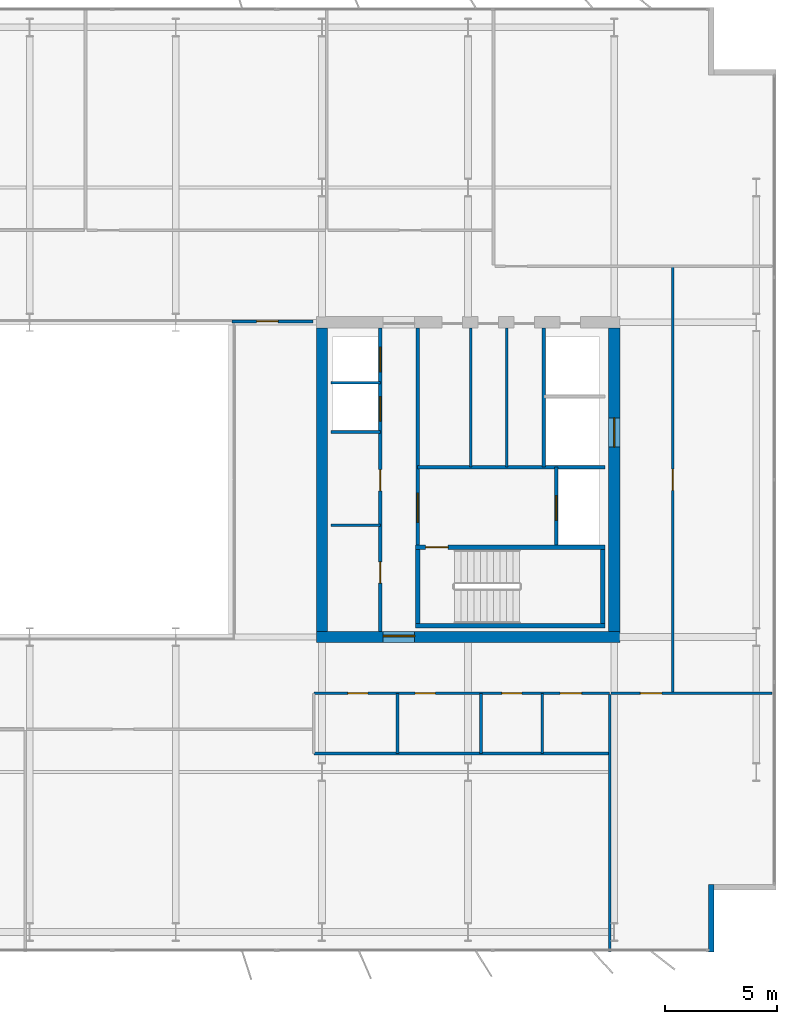
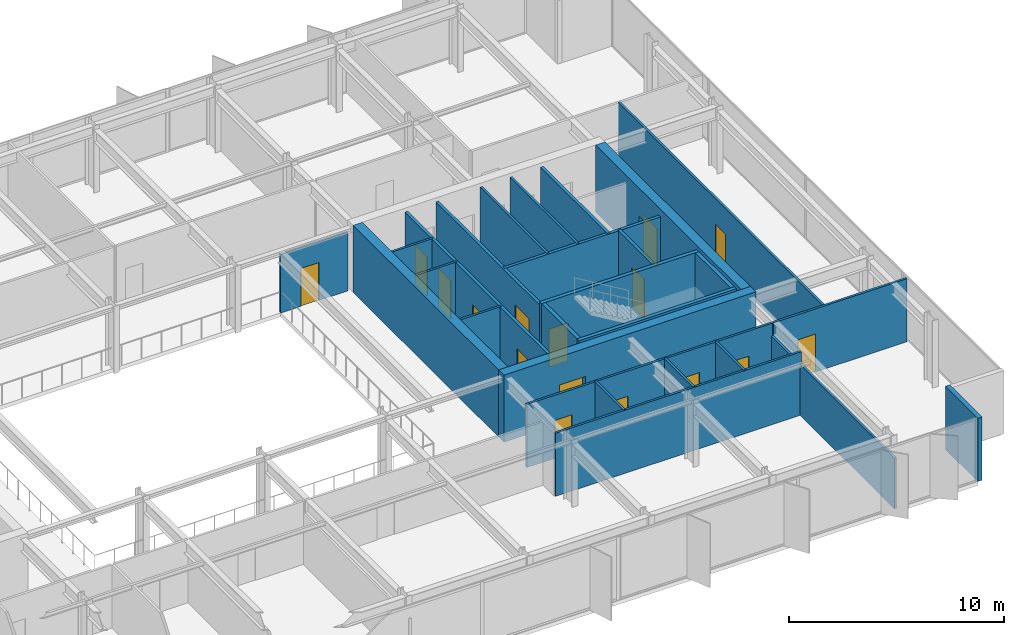
# One storey, part 18 of 23: 27 walls, 16 doors, 16 openings.
"""IFC4 building model written with IfcOpenShell, lengths in metres."""

from ifc_helpers import new_model, si_unit, direction, frame, frame_2d, origin, place, context, subcontext, project, spatial, rectangle, extrude, material, layer, layer_set, type_object, element, fill, save


model = new_model("IFC4")

# Units and contexts
model_context = context("Model", 3, precision=1e-05, world=origin(), true_north=direction((0.0, 1.0)))
body_context = subcontext(model_context, "Body", "Model", "MODEL_VIEW")
ifc_project = project(units=[si_unit("LENGTHUNIT", "METRE"), si_unit("AREAUNIT", "SQUARE_METRE"), si_unit("VOLUMEUNIT", "CUBIC_METRE"), si_unit("PLANEANGLEUNIT", "RADIAN"), si_unit("MASSUNIT", "GRAM", prefix="KILO")], contexts=[model_context])

# Site, building, storey
site_placement = place(None, origin())
site = spatial("IfcSite", under=ifc_project, at=site_placement, CompositionType="ELEMENT")
building_placement = place(site_placement, origin())
building = spatial("IfcBuilding", under=site, at=building_placement, Name="Putna Gate Headquarters", CompositionType="ELEMENT")
storey_placement = place(building_placement, frame((0.0, 0.0, 221.39990234375)))
storey = spatial("IfcBuildingStorey", under=building, at=storey_placement, Name="L55", CompositionType="ELEMENT", Elevation=221.39990234375)

# Wall, opening, door
ifc_material_1 = material(Name="Concrete C50/60", Category="concrete")
ifc_layer_1 = layer(ifc_material_1, 0.5)
ifc_layer_set_1 = layer_set([ifc_layer_1], Name="Concrete C50/60")
wall_type_1 = type_object("IfcWallType", Name="WALL-CORE-500", PredefinedType="SHEAR", material=ifc_layer_set_1)
wall_1_placement = place(storey_placement, frame((51.75, 19.0, 0.0), z_axis=(0.0, 0.0, 1.0), x_axis=(1.0, 0.0, 0.0)))
wall_1 = element("IfcWall", 1, at=wall_1_placement, inside=storey, type_object=wall_type_1, Name="L55 EC Split Core Shear Wall S", PredefinedType="SHEAR", context=body_context, shape_type="SweptSolid", body=[
    extrude(rectangle(XDim=13.5, YDim=0.5, at=frame_2d((6.75, 0.0))), origin(), (0.0, 0.0, 1.0), 3.800048828125),
])
opening_1_placement = place(wall_1_placement, frame((2.969970703125, 0.0, 0.0)))
opening_1 = element("IfcOpeningElement", 2, at=opening_1_placement, cuts=wall_1, Name="Opening FDD-140", PredefinedType="OPENING", context=body_context, shape_type="SweptSolid", body=[
    extrude(rectangle(XDim=1.39990234375, YDim=2.199951171875, at=frame_2d((0.699951171875, 1.10009765625))), frame((0.0, 0.260009765625, 0.0), z_axis=(0.0, -1.0, 0.0), x_axis=(1.0, 0.0, 0.0)), (0.0, 0.0, 1.0), 0.52001953125),
])
ifc_material_2 = material(Name="Double steel fire door", Category="steel")
door_type_1 = type_object("IfcDoorType", Name="DOOR-FIRE-DBL-1400", OperationType="DOUBLE_DOOR_SINGLE_SWING", PredefinedType="DOOR", material=ifc_material_2)
door_1_placement = place(opening_1_placement, origin())
door_1 = element("IfcDoor", 3, at=door_1_placement, inside=storey, type_object=door_type_1, Name="L55 East Lift Lobby South Door", OperationType="DOUBLE_DOOR_SINGLE_SWING", OverallHeight=2.199951171875, OverallWidth=1.39990234375, PredefinedType="DOOR", context=body_context, shape_type="SweptSolid", body=[
    extrude(rectangle(XDim=1.39990234375, YDim=2.199951171875, at=frame_2d((0.699951171875, 1.10009765625))), frame((0.0, 0.0751953125, 0.0), z_axis=(0.0, -1.0, 0.0), x_axis=(1.0, 0.0, 0.0)), (0.0, 0.0, 1.0), 0.050048828125),
])
fill(opening_1, door_1)

# Wall
wall_2_placement = place(storey_placement, frame((52.0, 19.25, 0.0), z_axis=(0.0, 0.0, 1.0), x_axis=(0.0, 1.0, 0.0)))
element("IfcWall", 4, at=wall_2_placement, inside=storey, type_object=wall_type_1, Name="L55 EC Split Core Shear Wall W", PredefinedType="SHEAR", context=body_context, shape_type="SweptSolid", body=[
    extrude(rectangle(XDim=13.5, YDim=0.5, at=frame_2d((6.75, 0.0))), origin(), (0.0, 0.0, 1.0), 3.800048828125),
])

# Wall, opening, door
wall_3_placement = place(storey_placement, frame((65.0, 19.25, 0.0), z_axis=(0.0, 0.0, 1.0), x_axis=(0.0, 1.0, 0.0)))
wall_3 = element("IfcWall", 5, at=wall_3_placement, inside=storey, type_object=wall_type_1, Name="L55 EC Split Core Shear Wall E", PredefinedType="SHEAR", context=body_context, shape_type="SweptSolid", body=[
    extrude(rectangle(XDim=13.5, YDim=0.5, at=frame_2d((6.75, 0.0))), origin(), (0.0, 0.0, 1.0), 3.800048828125),
])
opening_2_placement = place(wall_3_placement, frame((8.199951171875, 0.0, 0.0)))
opening_2 = element("IfcOpeningElement", 6, at=opening_2_placement, cuts=wall_3, Name="Opening LD-2", PredefinedType="OPENING", context=body_context, shape_type="SweptSolid", body=[
    extrude(rectangle(XDim=1.300048828125, YDim=2.199951171875, at=frame_2d((0.64990234375, 1.10009765625))), frame((0.0, 0.260009765625, 0.0), z_axis=(0.0, -1.0, 0.0), x_axis=(1.0, 0.0, 0.0)), (0.0, 0.0, 1.0), 0.52001953125),
])
ifc_material_3 = material(Name="Heavy-duty goods lift sliding landing door")
door_type_2 = type_object("IfcDoorType", Name="DOOR-LIFT-1300", OperationType="DOUBLE_DOOR_SLIDING", PredefinedType="DOOR", material=ifc_material_3)
door_2_placement = place(opening_2_placement, origin())
door_2 = element("IfcDoor", 7, at=door_2_placement, inside=storey, type_object=door_type_2, Name="L55 Goods Lift Landing Door LD-15", OperationType="DOUBLE_DOOR_SLIDING", OverallHeight=2.199951171875, OverallWidth=1.300048828125, PredefinedType="DOOR", context=body_context, shape_type="SweptSolid", body=[
    extrude(rectangle(XDim=1.300048828125, YDim=2.199951171875, at=frame_2d((0.64990234375, 1.10009765625))), frame((0.0, 0.02490234375, 0.0), z_axis=(0.0, -1.0, 0.0), x_axis=(1.0, 0.0, 0.0)), (0.0, 0.0, 1.0), 0.050048828125),
])
fill(opening_2, door_2)

# Wall
ifc_material_4 = material(Name="Precast concrete C40/50", Category="concrete")
ifc_layer_2 = layer(ifc_material_4, 0.239990234375)
ifc_layer_set_2 = layer_set([ifc_layer_2], Name="Precast concrete C40/50")
wall_type_2 = type_object("IfcWallType", Name="WALL-EXT-TERR-240", PredefinedType="STANDARD", material=ifc_layer_set_2)
wall_4_placement = place(storey_placement, frame((69.320068359375, 8.0, 0.0), z_axis=(0.0, 0.0, 1.0), x_axis=(0.0, -1.0, 0.0)))
element("IfcWall", 8, at=wall_4_placement, inside=storey, type_object=wall_type_2, Name="L55 Corner Notch Return Wall SE-V", PredefinedType="STANDARD", context=body_context, shape_type="SweptSolid", body=[
    extrude(rectangle(XDim=3.0, YDim=0.239990234375, at=frame_2d((1.5, 0.0))), origin(), (0.0, 0.0, 1.0), 3.580078125),
])

# Wall, opening, door
ifc_material_5 = material(Name="Acoustic gypsum board on metal stud")
ifc_layer_3 = layer(ifc_material_5, 0.1201171875)
ifc_layer_set_3 = layer_set([ifc_layer_3], Name="Acoustic gypsum board on metal stud")
wall_type_3 = type_object("IfcWallType", Name="WALL-PART-120", PredefinedType="PARTITIONING", material=ifc_layer_set_3)
wall_5_placement = place(storey_placement, frame((48.0, 33.0400390625, 0.0), z_axis=(0.0, 0.0, 1.0), x_axis=(1.0, 0.0, 0.0)))
wall_5 = element("IfcWall", 9, at=wall_5_placement, inside=storey, type_object=wall_type_3, Name="L55 Interior Wall PART-L55-ATR-E-N", PredefinedType="PARTITIONING", context=body_context, shape_type="SweptSolid", body=[
    extrude(rectangle(XDim=3.60009765625, YDim=0.1201171875, at=frame_2d((1.800048828125, 0.0))), origin(), (0.0, 0.0, 1.0), 3.320068359375),
])
opening_3_placement = place(wall_5_placement, frame((1.10009765625, 0.0, 0.0)))
opening_3 = element("IfcOpeningElement", 10, at=opening_3_placement, cuts=wall_5, Name="Opening ID-95", PredefinedType="OPENING", context=body_context, shape_type="SweptSolid", body=[
    extrude(rectangle(XDim=0.949951171875, YDim=2.14990234375, at=frame_2d((0.47509765625, 1.074951171875))), frame((0.0, 0.070068359375, 0.0), z_axis=(0.0, -1.0, 0.0), x_axis=(1.0, 0.0, 0.0)), (0.0, 0.0, 1.0), 0.14013671875),
])
ifc_material_6 = material(Name="Veneered acoustic timber door", Category="wood")
door_type_3 = type_object("IfcDoorType", Name="DOOR-OFF-950", OperationType="NOTDEFINED", PredefinedType="DOOR", material=ifc_material_6)
door_3_placement = place(opening_3_placement, origin())
door_3 = element("IfcDoor", 11, at=door_3_placement, inside=storey, type_object=door_type_3, Name="L55 East Sky Atrium Lounge Door", OperationType="SINGLE_SWING_LEFT", OverallHeight=2.14990234375, OverallWidth=0.949951171875, PredefinedType="DOOR", context=body_context, shape_type="SweptSolid", body=[
    extrude(rectangle(XDim=0.949951171875, YDim=2.14990234375, at=frame_2d((0.47509765625, 1.074951171875))), frame((0.0, 0.02490234375, 0.0), z_axis=(0.0, -1.0, 0.0), x_axis=(1.0, 0.0, 0.0)), (0.0, 0.0, 1.0), 0.050048828125),
])
fill(opening_3, door_3)

# Walls
wall_6_placement = place(storey_placement, frame((64.800048828125, 5.02001953125, 0.0), z_axis=(0.0, 0.0, 1.0), x_axis=(0.0, 1.0, 0.0)))
element("IfcWall", 12, at=wall_6_placement, inside=storey, type_object=wall_type_3, Name="L55 Interior Wall PART-L55-SB-DIV-07", PredefinedType="PARTITIONING", context=body_context, shape_type="SweptSolid", body=[
    extrude(rectangle(XDim=11.419921875, YDim=0.1201171875, at=frame_2d((5.7099609375, 0.0))), origin(), (0.0, 0.0, 1.0), 2.880126953125),
])
ifc_material_7 = material(Name="Fire-rated shaftwall gypsum board on metal stud")
ifc_layer_4 = layer(ifc_material_7, 0.1201171875)
ifc_layer_set_4 = layer_set([ifc_layer_4], Name="Fire-rated shaftwall gypsum board on metal stud")
wall_type_4 = type_object("IfcWallType", Name="WALL-PART-120-EI120", PredefinedType="PARTITIONING", material=ifc_layer_set_4)
wall_7_placement = place(storey_placement, frame((52.39990234375, 30.31005859375, 0.0), z_axis=(0.0, 0.0, 1.0), x_axis=(1.0, 0.0, 0.0)))
element("IfcWall", 13, at=wall_7_placement, inside=storey, type_object=wall_type_4, Name="L55 Interior Wall CWINT-L55-EC-LF11-DIV", PredefinedType="PARTITIONING", context=body_context, shape_type="SweptSolid", body=[
    extrude(rectangle(XDim=2.2001953125, YDim=0.1201171875, at=frame_2d((1.10009765625, 0.0))), origin(), (0.0, 0.0, 1.0), 3.580078125),
])
ifc_material_8 = material(Name="Fire-rated gypsum board on metal stud")
ifc_layer_5 = layer(ifc_material_8, 0.1201171875)
ifc_layer_set_5 = layer_set([ifc_layer_5], Name="Fire-rated gypsum board on metal stud")
wall_type_5 = type_object("IfcWallType", Name="WALL-PART-120-RATED", PredefinedType="PARTITIONING", material=ifc_layer_set_5)
for number, where, z_axis, x_axis, name in (
    (14, (52.39990234375, 23.969970703125, 0.0), (0.0, 0.0, 1.0), (1.0, 0.0, 0.0), "L55 Interior Wall CWINT-L55-EC-REUSE-DIV"),
    (15, (52.39990234375, 28.1201171875, 0.0), (0.0, 0.0, 1.0), (1.0, 0.0, 0.0), "L55 Interior Wall CWINT-L55-EC-LF08-DIV"),
):
    element("IfcWall", number, at=place(storey_placement, frame(where, z_axis=z_axis, x_axis=x_axis)), inside=storey, type_object=wall_type_5, Name=name, PredefinedType="PARTITIONING", context=body_context, shape_type="SweptSolid", body=[
        extrude(rectangle(XDim=2.2001953125, YDim=0.1201171875, at=frame_2d((1.10009765625, 0.0))), origin(), (0.0, 0.0, 1.0), 3.580078125),
    ])
for number, where, z_axis, x_axis, name in (
    (16, (58.6201171875, 26.56005859375, 0.0), (0.0, 0.0, 1.0), (0.0, 1.0, 0.0), "L55 Interior Wall CWINT-L55-EC-K2-D1"),
    (17, (60.219970703125, 26.56005859375, 0.0), (0.0, 0.0, 1.0), (0.0, 1.0, 0.0), "L55 Interior Wall CWINT-L55-EC-K2-D2"),
):
    element("IfcWall", number, at=place(storey_placement, frame(where, z_axis=z_axis, x_axis=x_axis)), inside=storey, type_object=wall_type_5, Name=name, PredefinedType="PARTITIONING", context=body_context, shape_type="SweptSolid", body=[
        extrude(rectangle(XDim=6.18994140625, YDim=0.1201171875, at=frame_2d((3.094970703125, 0.0))), origin(), (0.0, 0.0, 1.0), 3.580078125),
    ])

# Wall, openings, doors
wall_8_placement = place(storey_placement, frame((51.639892578125, 16.5, 0.0), z_axis=(0.0, 0.0, 1.0), x_axis=(1.0, 0.0, 0.0)))
wall_8 = element("IfcWall", 18, at=wall_8_placement, inside=storey, type_object=wall_type_5, Name="L55 Interior Wall PART-L55-SAN-CW", PredefinedType="PARTITIONING", context=body_context, shape_type="SweptSolid", body=[
    extrude(rectangle(XDim=13.16015625, YDim=0.1201171875, at=frame_2d((6.580078125, 0.0))), origin(), (0.0, 0.0, 1.0), 3.580078125),
])
opening_4_placement = place(wall_8_placement, frame((1.510009765625, 0.0, 0.0)))
opening_4 = element("IfcOpeningElement", 19, at=opening_4_placement, cuts=wall_8, Name="Opening FD-90", PredefinedType="OPENING", context=body_context, shape_type="SweptSolid", body=[
    extrude(rectangle(XDim=0.89990234375, YDim=2.14990234375, at=frame_2d((0.449951171875, 1.074951171875))), frame((0.0, 0.070068359375, 0.0), z_axis=(0.0, -1.0, 0.0), x_axis=(1.0, 0.0, 0.0)), (0.0, 0.0, 1.0), 0.14013671875),
])
opening_5_placement = place(wall_8_placement, frame((4.510009765625, 0.0, 0.0)))
opening_5 = element("IfcOpeningElement", 20, at=opening_5_placement, cuts=wall_8, Name="Opening FD-90", PredefinedType="OPENING", context=body_context, shape_type="SweptSolid", body=[
    extrude(rectangle(XDim=0.89990234375, YDim=2.14990234375, at=frame_2d((0.449951171875, 1.074951171875))), frame((0.0, 0.070068359375, 0.0), z_axis=(0.0, -1.0, 0.0), x_axis=(1.0, 0.0, 0.0)), (0.0, 0.0, 1.0), 0.14013671875),
])
opening_6_placement = place(wall_8_placement, frame((8.360107421875, 0.0, 0.0)))
opening_6 = element("IfcOpeningElement", 21, at=opening_6_placement, cuts=wall_8, Name="Opening FD-90", PredefinedType="OPENING", context=body_context, shape_type="SweptSolid", body=[
    extrude(rectangle(XDim=0.89990234375, YDim=2.14990234375, at=frame_2d((0.449951171875, 1.074951171875))), frame((0.0, 0.070068359375, 0.0), z_axis=(0.0, -1.0, 0.0), x_axis=(1.0, 0.0, 0.0)), (0.0, 0.0, 1.0), 0.14013671875),
])
opening_7_placement = place(wall_8_placement, frame((10.9599609375, 0.0, 0.0)))
opening_7 = element("IfcOpeningElement", 22, at=opening_7_placement, cuts=wall_8, Name="Opening FD-95", PredefinedType="OPENING", context=body_context, shape_type="SweptSolid", body=[
    extrude(rectangle(XDim=0.949951171875, YDim=2.14990234375, at=frame_2d((0.47509765625, 1.074951171875))), frame((0.0, 0.070068359375, 0.0), z_axis=(0.0, -1.0, 0.0), x_axis=(1.0, 0.0, 0.0)), (0.0, 0.0, 1.0), 0.14013671875),
])
ifc_material_9 = material(Name="Acoustic washroom fire door")
door_type_4 = type_object("IfcDoorType", Name="DOOR-FIRE-900", OperationType="NOTDEFINED", PredefinedType="DOOR", material=ifc_material_9)
door_4_placement = place(opening_4_placement, origin())
door_4 = element("IfcDoor", 23, at=door_4_placement, inside=storey, type_object=door_type_4, Name="L55 Washroom Male Door", OperationType="SINGLE_SWING_RIGHT", OverallHeight=2.14990234375, OverallWidth=0.89990234375, PredefinedType="DOOR", context=body_context, shape_type="SweptSolid", body=[
    extrude(rectangle(XDim=0.89990234375, YDim=2.14990234375, at=frame_2d((0.449951171875, 1.074951171875))), frame((0.0, 0.02490234375, 0.0), z_axis=(0.0, -1.0, 0.0), x_axis=(1.0, 0.0, 0.0)), (0.0, 0.0, 1.0), 0.050048828125),
])
fill(opening_4, door_4)
door_5_placement = place(opening_5_placement, origin())
door_5 = element("IfcDoor", 24, at=door_5_placement, inside=storey, type_object=door_type_4, Name="L55 Washroom Female Door", OperationType="SINGLE_SWING_LEFT", OverallHeight=2.14990234375, OverallWidth=0.89990234375, PredefinedType="DOOR", context=body_context, shape_type="SweptSolid", body=[
    extrude(rectangle(XDim=0.89990234375, YDim=2.14990234375, at=frame_2d((0.449951171875, 1.074951171875))), frame((0.0, 0.02490234375, 0.0), z_axis=(0.0, -1.0, 0.0), x_axis=(1.0, 0.0, 0.0)), (0.0, 0.0, 1.0), 0.050048828125),
])
fill(opening_5, door_5)
door_6_placement = place(opening_6_placement, origin())
door_6 = element("IfcDoor", 25, at=door_6_placement, inside=storey, type_object=door_type_4, Name="L55 Accessible WC Door", OperationType="SINGLE_SWING_RIGHT", OverallHeight=2.14990234375, OverallWidth=0.89990234375, PredefinedType="DOOR", context=body_context, shape_type="SweptSolid", body=[
    extrude(rectangle(XDim=0.89990234375, YDim=2.14990234375, at=frame_2d((0.449951171875, 1.074951171875))), frame((0.0, 0.02490234375, 0.0), z_axis=(0.0, -1.0, 0.0), x_axis=(1.0, 0.0, 0.0)), (0.0, 0.0, 1.0), 0.050048828125),
])
fill(opening_6, door_6)
ifc_material_10 = material(Name="Acoustic timber fire door", Category="wood")
door_type_5 = type_object("IfcDoorType", Name="DOOR-FIRE-950", OperationType="NOTDEFINED", PredefinedType="DOOR", material=ifc_material_10)
door_7_placement = place(opening_7_placement, origin())
door_7 = element("IfcDoor", 26, at=door_7_placement, inside=storey, type_object=door_type_5, Name="L55 Staff Pantry and Tea Point Door", OperationType="SINGLE_SWING_LEFT", OverallHeight=2.14990234375, OverallWidth=0.949951171875, PredefinedType="DOOR", context=body_context, shape_type="SweptSolid", body=[
    extrude(rectangle(XDim=0.949951171875, YDim=2.14990234375, at=frame_2d((0.47509765625, 1.074951171875))), frame((0.0, 0.02490234375, 0.0), z_axis=(0.0, -1.0, 0.0), x_axis=(1.0, 0.0, 0.0)), (0.0, 0.0, 1.0), 0.050048828125),
])
fill(opening_7, door_7)

# Walls
wall_9_placement = place(storey_placement, frame((51.639892578125, 13.820068359375, 0.0), z_axis=(0.0, 0.0, 1.0), x_axis=(1.0, 0.0, 0.0)))
element("IfcWall", 27, at=wall_9_placement, inside=storey, type_object=wall_type_5, Name="L55 Interior Wall PART-L55-SAN-BACK", PredefinedType="PARTITIONING", context=body_context, shape_type="SweptSolid", body=[
    extrude(rectangle(XDim=13.16015625, YDim=0.1201171875, at=frame_2d((6.580078125, 0.0))), origin(), (0.0, 0.0, 1.0), 3.580078125),
])
for number, where, z_axis, x_axis, name in (
    (28, (55.360107421875, 13.820068359375, 0.0), (0.0, 0.0, 1.0), (0.0, 1.0, 0.0), "L55 Interior Wall PART-L55-SAN-DIV-2"),
    (29, (59.080078125, 13.820068359375, 0.0), (0.0, 0.0, 1.0), (0.0, 1.0, 0.0), "L55 Interior Wall PART-L55-SAN-DIV-3"),
    (30, (61.800048828125, 13.820068359375, 0.0), (0.0, 0.0, 1.0), (0.0, 1.0, 0.0), "L55 Interior Wall PART-L55-SAN-DIV-4"),
):
    element("IfcWall", number, at=place(storey_placement, frame(where, z_axis=z_axis, x_axis=x_axis)), inside=storey, type_object=wall_type_5, Name=name, PredefinedType="PARTITIONING", context=body_context, shape_type="SweptSolid", body=[
        extrude(rectangle(XDim=2.679931640625, YDim=0.1201171875, at=frame_2d((1.33984375, 0.0))), origin(), (0.0, 0.0, 1.0), 3.580078125),
    ])

# Wall, opening, door
wall_10_placement = place(storey_placement, frame((64.860107421875, 16.5, 0.0), z_axis=(0.0, 0.0, 1.0), x_axis=(1.0, 0.0, 0.0)))
wall_10 = element("IfcWall", 31, at=wall_10_placement, inside=storey, type_object=wall_type_5, Name="L55 Interior Wall PART-L55-SB-CW-08", PredefinedType="PARTITIONING", context=body_context, shape_type="SweptSolid", body=[
    extrude(rectangle(XDim=7.159912109375, YDim=0.1201171875, at=frame_2d((3.580078125, 0.0))), origin(), (0.0, 0.0, 1.0), 3.580078125),
])
opening_8_placement = place(wall_10_placement, frame((1.31005859375, 0.0, 0.0)))
opening_8 = element("IfcOpeningElement", 32, at=opening_8_placement, cuts=wall_10, Name="Opening FD-95", PredefinedType="OPENING", context=body_context, shape_type="SweptSolid", body=[
    extrude(rectangle(XDim=0.949951171875, YDim=2.14990234375, at=frame_2d((0.47509765625, 1.074951171875))), frame((0.0, 0.070068359375, 0.0), z_axis=(0.0, -1.0, 0.0), x_axis=(1.0, 0.0, 0.0)), (0.0, 0.0, 1.0), 0.14013671875),
])
door_8_placement = place(opening_8_placement, origin())
door_8 = element("IfcDoor", 33, at=door_8_placement, inside=storey, type_object=door_type_5, Name="L55 Quiet Wellness Focus Studio 3 Door", OperationType="SINGLE_SWING_LEFT", OverallHeight=2.14990234375, OverallWidth=0.949951171875, PredefinedType="DOOR", context=body_context, shape_type="SweptSolid", body=[
    extrude(rectangle(XDim=0.949951171875, YDim=2.14990234375, at=frame_2d((0.47509765625, 1.074951171875))), frame((0.0, 0.02490234375, 0.0), z_axis=(0.0, -1.0, 0.0), x_axis=(1.0, 0.0, 0.0)), (0.0, 0.0, 1.0), 0.050048828125),
])
fill(opening_8, door_8)

wall_11_placement = place(storey_placement, frame((67.60009765625, 16.5, 0.0), z_axis=(0.0, 0.0, 1.0), x_axis=(0.0, 1.0, 0.0)))
wall_11 = element("IfcWall", 34, at=wall_11_placement, inside=storey, type_object=wall_type_5, Name="L55 Interior Wall PART-L55-EW-CW-1", PredefinedType="PARTITIONING", context=body_context, shape_type="SweptSolid", body=[
    extrude(rectangle(XDim=19.0, YDim=0.1201171875, at=frame_2d((9.5, 0.0))), origin(), (0.0, 0.0, 1.0), 3.580078125),
])
opening_9_placement = place(wall_11_placement, frame((9.02490234375, 0.0, 0.0)))
opening_9 = element("IfcOpeningElement", 35, at=opening_9_placement, cuts=wall_11, Name="Opening FD-95", PredefinedType="OPENING", context=body_context, shape_type="SweptSolid", body=[
    extrude(rectangle(XDim=0.949951171875, YDim=2.14990234375, at=frame_2d((0.47509765625, 1.074951171875))), frame((0.0, 0.070068359375, 0.0), z_axis=(0.0, -1.0, 0.0), x_axis=(1.0, 0.0, 0.0)), (0.0, 0.0, 1.0), 0.14013671875),
])
door_9_placement = place(opening_9_placement, origin())
door_9 = element("IfcDoor", 36, at=door_9_placement, inside=storey, type_object=door_type_5, Name="L55 East Advisory Office 1 Door", OperationType="SINGLE_SWING_RIGHT", OverallHeight=2.14990234375, OverallWidth=0.949951171875, PredefinedType="DOOR", context=body_context, shape_type="SweptSolid", body=[
    extrude(rectangle(XDim=0.949951171875, YDim=2.14990234375, at=frame_2d((0.47509765625, 1.074951171875))), frame((0.0, 0.02490234375, 0.0), z_axis=(0.0, -1.0, 0.0), x_axis=(1.0, 0.0, 0.0)), (0.0, 0.0, 1.0), 0.050048828125),
])
fill(opening_9, door_9)

# Wall, openings, doors
ifc_material_11 = material(Name="Concrete C40/50", Category="concrete")
ifc_layer_6 = layer(ifc_material_11, 0.159912109375)
ifc_layer_set_6 = layer_set([ifc_layer_6], Name="Concrete C40/50")
wall_type_6 = type_object("IfcWallType", Name="WALL-SHAFT-160", PredefinedType="STANDARD", material=ifc_layer_set_6)
wall_12_placement = place(storey_placement, frame((54.60009765625, 19.25, 0.0), z_axis=(0.0, 0.0, 1.0), x_axis=(0.0, 1.0, 0.0)))
wall_12 = element("IfcWall", 37, at=wall_12_placement, inside=storey, type_object=wall_type_6, Name="L55 Interior Wall CWINT-L55-EC-PL-WALL", PredefinedType="STANDARD", context=body_context, shape_type="SweptSolid", body=[
    extrude(rectangle(XDim=13.5, YDim=0.159912109375, at=frame_2d((6.75, 0.0))), origin(), (0.0, 0.0, 1.0), 3.580078125),
])
opening_10_placement = place(wall_12_placement, frame((2.14990234375, 0.0, 0.0)))
opening_10 = element("IfcOpeningElement", 38, at=opening_10_placement, cuts=wall_12, Name="Opening IDS-95", PredefinedType="OPENING", context=body_context, shape_type="SweptSolid", body=[
    extrude(rectangle(XDim=0.949951171875, YDim=2.14990234375, at=frame_2d((0.47509765625, 1.074951171875))), frame((0.0, 0.08984375, 0.0), z_axis=(0.0, -1.0, 0.0), x_axis=(1.0, 0.0, 0.0)), (0.0, 0.0, 1.0), 0.179931640625),
])
opening_11_placement = place(wall_12_placement, frame((6.25, 0.0, 0.0)))
opening_11 = element("IfcOpeningElement", 39, at=opening_11_placement, cuts=wall_12, Name="Opening IDS-95", PredefinedType="OPENING", context=body_context, shape_type="SweptSolid", body=[
    extrude(rectangle(XDim=0.949951171875, YDim=2.14990234375, at=frame_2d((0.47509765625, 1.074951171875))), frame((0.0, 0.08984375, 0.0), z_axis=(0.0, -1.0, 0.0), x_axis=(1.0, 0.0, 0.0)), (0.0, 0.0, 1.0), 0.179931640625),
])
opening_12_placement = place(wall_12_placement, frame((9.35009765625, 0.0, 0.0)))
opening_12 = element("IfcOpeningElement", 40, at=opening_12_placement, cuts=wall_12, Name="Opening LD-1", PredefinedType="OPENING", context=body_context, shape_type="SweptSolid", body=[
    extrude(rectangle(XDim=1.10009765625, YDim=2.199951171875, at=frame_2d((0.550048828125, 1.10009765625))), frame((0.0, 0.08984375, 0.0), z_axis=(0.0, -1.0, 0.0), x_axis=(1.0, 0.0, 0.0)), (0.0, 0.0, 1.0), 0.179931640625),
])
opening_13_placement = place(wall_12_placement, frame((11.550048828125, 0.0, 0.0)))
opening_13 = element("IfcOpeningElement", 41, at=opening_13_placement, cuts=wall_12, Name="Opening LD-1", PredefinedType="OPENING", context=body_context, shape_type="SweptSolid", body=[
    extrude(rectangle(XDim=1.10009765625, YDim=2.199951171875, at=frame_2d((0.550048828125, 1.10009765625))), frame((0.0, 0.08984375, 0.0), z_axis=(0.0, -1.0, 0.0), x_axis=(1.0, 0.0, 0.0)), (0.0, 0.0, 1.0), 0.179931640625),
])
ifc_material_12 = material(Name="Fire-rated service timber door", Category="wood")
door_type_6 = type_object("IfcDoorType", Name="DOOR-INT-950", OperationType="NOTDEFINED", PredefinedType="DOOR", material=ifc_material_12)
door_10_placement = place(opening_10_placement, origin())
door_10 = element("IfcDoor", 42, at=door_10_placement, inside=storey, type_object=door_type_6, Name="L55 Executive Archive Door", OperationType="SINGLE_SWING_RIGHT", OverallHeight=2.14990234375, OverallWidth=0.949951171875, PredefinedType="DOOR", context=body_context, shape_type="SweptSolid", body=[
    extrude(rectangle(XDim=0.949951171875, YDim=2.14990234375, at=frame_2d((0.47509765625, 1.074951171875))), frame((0.0, 0.02490234375, 0.0), z_axis=(0.0, -1.0, 0.0), x_axis=(1.0, 0.0, 0.0)), (0.0, 0.0, 1.0), 0.050048828125),
])
fill(opening_10, door_10)
door_11_placement = place(opening_11_placement, origin())
door_11 = element("IfcDoor", 43, at=door_11_placement, inside=storey, type_object=door_type_6, Name="L55 Comms Distribution Door", OperationType="SINGLE_SWING_LEFT", OverallHeight=2.14990234375, OverallWidth=0.949951171875, PredefinedType="DOOR", context=body_context, shape_type="SweptSolid", body=[
    extrude(rectangle(XDim=0.949951171875, YDim=2.14990234375, at=frame_2d((0.47509765625, 1.074951171875))), frame((0.0, 0.02490234375, 0.0), z_axis=(0.0, -1.0, 0.0), x_axis=(1.0, 0.0, 0.0)), (0.0, 0.0, 1.0), 0.050048828125),
])
fill(opening_11, door_11)
ifc_material_13 = material(Name="Brushed bronze stainless lift landing door")
door_type_7 = type_object("IfcDoorType", Name="DOOR-LIFT-1100", OperationType="DOUBLE_DOOR_SLIDING", PredefinedType="DOOR", material=ifc_material_13)
door_12_placement = place(opening_12_placement, origin())
door_12 = element("IfcDoor", 44, at=door_12_placement, inside=storey, type_object=door_type_7, Name="L55 Lift Landing Door LD-11", OperationType="DOUBLE_DOOR_SLIDING", OverallHeight=2.199951171875, OverallWidth=1.10009765625, PredefinedType="DOOR", context=body_context, shape_type="SweptSolid", body=[
    extrude(rectangle(XDim=1.10009765625, YDim=2.199951171875, at=frame_2d((0.550048828125, 1.10009765625))), frame((0.0, 0.02490234375, 0.0), z_axis=(0.0, -1.0, 0.0), x_axis=(1.0, 0.0, 0.0)), (0.0, 0.0, 1.0), 0.050048828125),
])
fill(opening_12, door_12)
door_13_placement = place(opening_13_placement, origin())
door_13 = element("IfcDoor", 45, at=door_13_placement, inside=storey, type_object=door_type_7, Name="L55 Lift Landing Door LD-12", OperationType="DOUBLE_DOOR_SLIDING", OverallHeight=2.199951171875, OverallWidth=1.10009765625, PredefinedType="DOOR", context=body_context, shape_type="SweptSolid", body=[
    extrude(rectangle(XDim=1.10009765625, YDim=2.199951171875, at=frame_2d((0.550048828125, 1.10009765625))), frame((0.0, 0.02490234375, 0.0), z_axis=(0.0, -1.0, 0.0), x_axis=(1.0, 0.0, 0.0)), (0.0, 0.0, 1.0), 0.050048828125),
])
fill(opening_13, door_13)

# Wall, opening, door
wall_13_placement = place(storey_placement, frame((56.260009765625, 23.090087890625, 0.0), z_axis=(0.0, 0.0, 1.0), x_axis=(0.0, 1.0, 0.0)))
wall_13 = element("IfcWall", 46, at=wall_13_placement, inside=storey, type_object=wall_type_6, Name="L55 Interior Wall CWINT-L55-EC-LOB-E", PredefinedType="STANDARD", context=body_context, shape_type="SweptSolid", body=[
    extrude(rectangle(XDim=9.659912109375, YDim=0.159912109375, at=frame_2d((4.830078125, 0.0))), origin(), (0.0, 0.0, 1.0), 3.580078125),
])
opening_14_placement = place(wall_13_placement, frame((1.010009765625, 0.0, 0.0)))
opening_14 = element("IfcOpeningElement", 47, at=opening_14_placement, cuts=wall_13, Name="Opening FDD-130", PredefinedType="OPENING", context=body_context, shape_type="SweptSolid", body=[
    extrude(rectangle(XDim=1.300048828125, YDim=2.199951171875, at=frame_2d((0.64990234375, 1.10009765625))), frame((0.0, 0.08984375, 0.0), z_axis=(0.0, -1.0, 0.0), x_axis=(1.0, 0.0, 0.0)), (0.0, 0.0, 1.0), 0.179931640625),
])
ifc_material_14 = material(Name="Double steel lobby fire door", Category="steel")
door_type_8 = type_object("IfcDoorType", Name="DOOR-FIRE-DBL-1300", OperationType="DOUBLE_DOOR_SINGLE_SWING", PredefinedType="DOOR", material=ifc_material_14)
door_14_placement = place(opening_14_placement, origin())
door_14 = element("IfcDoor", 48, at=door_14_placement, inside=storey, type_object=door_type_8, Name="L55 East Firefighting Lobby Door", OperationType="DOUBLE_DOOR_SINGLE_SWING", OverallHeight=2.199951171875, OverallWidth=1.300048828125, PredefinedType="DOOR", context=body_context, shape_type="SweptSolid", body=[
    extrude(rectangle(XDim=1.300048828125, YDim=2.199951171875, at=frame_2d((0.64990234375, 1.10009765625))), frame((0.0, 0.02490234375, 0.0), z_axis=(0.0, -1.0, 0.0), x_axis=(1.0, 0.0, 0.0)), (0.0, 0.0, 1.0), 0.050048828125),
])
fill(opening_14, door_14)

wall_14_placement = place(storey_placement, frame((62.429931640625, 23.090087890625, 0.0), z_axis=(0.0, 0.0, 1.0), x_axis=(0.0, 1.0, 0.0)))
wall_14 = element("IfcWall", 49, at=wall_14_placement, inside=storey, type_object=wall_type_6, Name="L55 Interior Wall CWINT-L55-EC-LF14-W", PredefinedType="STANDARD", context=body_context, shape_type="SweptSolid", body=[
    extrude(rectangle(XDim=3.469970703125, YDim=0.159912109375, at=frame_2d((1.73486328125, 0.0))), origin(), (0.0, 0.0, 1.0), 3.580078125),
])
opening_15_placement = place(wall_14_placement, frame((1.10009765625, 0.0, 0.0)))
opening_15 = element("IfcOpeningElement", 50, at=opening_15_placement, cuts=wall_14, Name="Opening LD-1", PredefinedType="OPENING", context=body_context, shape_type="SweptSolid", body=[
    extrude(rectangle(XDim=1.10009765625, YDim=2.199951171875, at=frame_2d((0.550048828125, 1.10009765625))), frame((0.0, 0.08984375, 0.0), z_axis=(0.0, -1.0, 0.0), x_axis=(1.0, 0.0, 0.0)), (0.0, 0.0, 1.0), 0.179931640625),
])
door_15_placement = place(opening_15_placement, origin())
door_15 = element("IfcDoor", 51, at=door_15_placement, inside=storey, type_object=door_type_7, Name="L55 Lift Landing Door LD-14", OperationType="DOUBLE_DOOR_SLIDING", OverallHeight=2.199951171875, OverallWidth=1.10009765625, PredefinedType="DOOR", context=body_context, shape_type="SweptSolid", body=[
    extrude(rectangle(XDim=1.10009765625, YDim=2.199951171875, at=frame_2d((0.550048828125, 1.10009765625))), frame((0.0, 0.02490234375, 0.0), z_axis=(0.0, -1.0, 0.0), x_axis=(1.0, 0.0, 0.0)), (0.0, 0.0, 1.0), 0.050048828125),
])
fill(opening_15, door_15)

# Walls
wall_15_placement = place(storey_placement, frame((56.260009765625, 26.56005859375, 0.0), z_axis=(0.0, 0.0, 1.0), x_axis=(1.0, 0.0, 0.0)))
element("IfcWall", 52, at=wall_15_placement, inside=storey, type_object=wall_type_6, Name="L55 Interior Wall CWINT-L55-EC-FFL-N", PredefinedType="STANDARD", context=body_context, shape_type="SweptSolid", body=[
    extrude(rectangle(XDim=8.340087890625, YDim=0.159912109375, at=frame_2d((4.169921875, 0.0))), origin(), (0.0, 0.0, 1.0), 3.580078125),
])
wall_16_placement = place(storey_placement, frame((61.8701171875, 26.56005859375, 0.0), z_axis=(0.0, 0.0, 1.0), x_axis=(0.0, 1.0, 0.0)))
element("IfcWall", 53, at=wall_16_placement, inside=storey, type_object=wall_type_6, Name="L55 Interior Wall CWINT-L55-EC-LF15-W", PredefinedType="STANDARD", context=body_context, shape_type="SweptSolid", body=[
    extrude(rectangle(XDim=6.18994140625, YDim=0.159912109375, at=frame_2d((3.094970703125, 0.0))), origin(), (0.0, 0.0, 1.0), 3.580078125),
])
ifc_layer_7 = layer(ifc_material_11, 0.199951171875)
ifc_layer_set_7 = layer_set([ifc_layer_7], Name="Concrete C40/50")
wall_type_7 = type_object("IfcWallType", Name="WALL-SHAFT-RC200", PredefinedType="SHEAR", material=ifc_layer_set_7)
wall_17_placement = place(storey_placement, frame((56.159912109375, 19.510009765625, 0.0), z_axis=(0.0, 0.0, 1.0), x_axis=(1.0, 0.0, 0.0)))
element("IfcWall", 54, at=wall_17_placement, inside=storey, type_object=wall_type_7, Name="L55 Stair ST2 Structural Shaft Wall S", PredefinedType="SHEAR", context=body_context, shape_type="SweptSolid", body=[
    extrude(rectangle(XDim=8.43017578125, YDim=0.199951171875, at=frame_2d((4.215087890625, 0.0))), origin(), (0.0, 0.0, 1.0), 3.800048828125),
])

# Wall, opening, door
wall_18_placement = place(storey_placement, frame((56.159912109375, 22.989990234375, 0.0), z_axis=(0.0, 0.0, 1.0), x_axis=(1.0, 0.0, 0.0)))
wall_18 = element("IfcWall", 55, at=wall_18_placement, inside=storey, type_object=wall_type_7, Name="L55 Stair ST2 Structural Shaft Wall N", PredefinedType="SHEAR", context=body_context, shape_type="SweptSolid", body=[
    extrude(rectangle(XDim=8.43017578125, YDim=0.199951171875, at=frame_2d((4.215087890625, 0.0))), origin(), (0.0, 0.0, 1.0), 3.800048828125),
])
opening_16_placement = place(wall_18_placement, frame((0.449951171875, 0.0, 0.0)))
opening_16 = element("IfcOpeningElement", 56, at=opening_16_placement, cuts=wall_18, Name="Opening FD-100", PredefinedType="OPENING", context=body_context, shape_type="SweptSolid", body=[
    extrude(rectangle(XDim=1.0, YDim=2.14990234375, at=frame_2d((0.5, 1.074951171875))), frame((0.0, 0.10986328125, 0.0), z_axis=(0.0, -1.0, 0.0), x_axis=(1.0, 0.0, 0.0)), (0.0, 0.0, 1.0), 0.219970703125),
])
ifc_material_15 = material(Name="Powder-coated steel fire door", Category="steel")
door_type_9 = type_object("IfcDoorType", Name="DOOR-FIRE-1000", OperationType="NOTDEFINED", PredefinedType="DOOR", material=ifc_material_15)
door_16_placement = place(opening_16_placement, origin())
door_16 = element("IfcDoor", 57, at=door_16_placement, inside=storey, type_object=door_type_9, Name="L55 Stair ST2 Fire Door", OperationType="SINGLE_SWING_RIGHT", OverallHeight=2.14990234375, OverallWidth=1.0, PredefinedType="DOOR", context=body_context, shape_type="SweptSolid", body=[
    extrude(rectangle(XDim=1.0, YDim=2.14990234375, at=frame_2d((0.5, 1.074951171875))), frame((0.0, 0.02490234375, 0.0), z_axis=(0.0, -1.0, 0.0), x_axis=(1.0, 0.0, 0.0)), (0.0, 0.0, 1.0), 0.050048828125),
])
fill(opening_16, door_16)

# Walls
for number, where, z_axis, x_axis, name in (
    (58, (56.260009765625, 19.610107421875, 0.0), (0.0, 0.0, 1.0), (0.0, 1.0, 0.0), "L55 Stair ST2 Structural Shaft Wall W"),
    (59, (64.489990234375, 19.610107421875, 0.0), (0.0, 0.0, 1.0), (0.0, 1.0, 0.0), "L55 Stair ST2 Structural Shaft Wall E"),
):
    element("IfcWall", number, at=place(storey_placement, frame(where, z_axis=z_axis, x_axis=x_axis)), inside=storey, type_object=wall_type_7, Name=name, PredefinedType="SHEAR", context=body_context, shape_type="SweptSolid", body=[
        extrude(rectangle(XDim=3.27978515625, YDim=0.199951171875, at=frame_2d((1.639892578125, 0.0))), origin(), (0.0, 0.0, 1.0), 3.800048828125),
    ])

save(model, "model.ifc")
